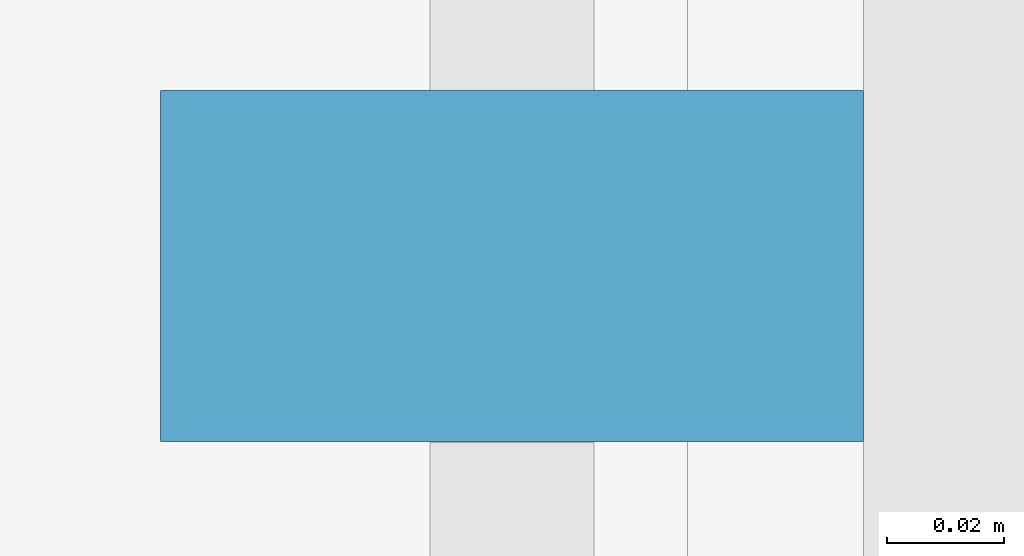
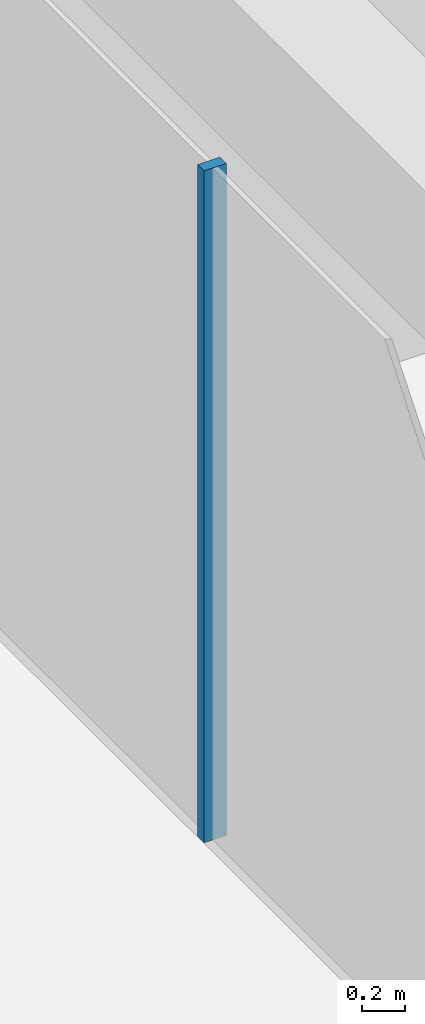
# One storey, part 9 of 23: 1 member, 1 element without a shape of its own.
"""IFC4 building model written with IfcOpenShell, lengths in metres."""

import ifcopenshell
import ifcopenshell.guid

model = None  # the IFC model being written
_history = None  # IfcOwnerHistory: only IFC2X3 demands one
_inside = {}  # id of a spatial element -> (the spatial element, [elements in it])
_under = {}  # id of a project, library or spatial element -> (it, [spatial elements below it])
_declared = {}  # id of a project -> (the project, [libraries it declares])
_typed = {}  # id of a type object -> (the type object, [elements of that type])
_made_of = {}  # id of a material, layer set ... -> (it, [elements and type objects made of it])


def new_model(schema):
    """Start an empty IFC model of exactly this schema.

    Asked for "IFC4X3", IfcOpenShell would pick the latest addendum, in which some entities
    have other attributes; the version numbers below select the first issue.
    IFC2X3 requires an IfcOwnerHistory on every rooted entity: one is made here for all.
    """
    global model, _history
    if schema == "IFC4X3":
        model = ifcopenshell.file(schema_version=(4, 3, 0, 0))
    else:
        model = ifcopenshell.file(schema=schema)
    _inside.clear()
    _under.clear()
    _declared.clear()
    _typed.clear()
    _made_of.clear()
    _history = None
    if model.schema == "IFC2X3":
        org = make("IfcOrganization", Name="unknown")
        user = make(
            "IfcPersonAndOrganization",
            ThePerson=make("IfcPerson", FamilyName="unknown"),
            TheOrganization=org,
        )
        app = make(
            "IfcApplication",
            ApplicationDeveloper=org,
            Version="unknown",
            ApplicationFullName="unknown",
            ApplicationIdentifier="unknown",
        )
        _history = make(
            "IfcOwnerHistory",
            OwningUser=user,
            OwningApplication=app,
            ChangeAction="ADDED",
            CreationDate=0,
        )
    return model


def make(cls, **values):
    """One entity of the class cls with the attributes given. An attribute that is None is left unset."""
    return model.create_entity(
        cls, **{name: value for name, value in values.items() if value is not None}
    )


def rooted(cls, **values):
    """An entity with a GlobalId (a new one), such as an element, a storey or a relation."""
    return make(cls, GlobalId=ifcopenshell.guid.new(), OwnerHistory=_history, **values)


def si_unit(unit_type, name, prefix=None):
    """IfcSIUnit, for example si_unit("LENGTHUNIT", "METRE", prefix="MILLI")."""
    return make("IfcSIUnit", UnitType=unit_type, Prefix=prefix, Name=name)


def assignment(units):
    """IfcUnitAssignment: the units of a project."""
    return None if units is None else make("IfcUnitAssignment", Units=units)


def point(xyz):
    """IfcCartesianPoint."""
    return None if xyz is None else make("IfcCartesianPoint", Coordinates=xyz)


def direction(xyz):
    """IfcDirection."""
    return None if xyz is None else make("IfcDirection", DirectionRatios=xyz)


def frame(location, z_axis=None, x_axis=None):
    """IfcAxis2Placement3D, a coordinate frame: its origin and axes. An axis left out is left unset."""
    return make(
        "IfcAxis2Placement3D",
        Location=point(location),
        Axis=direction(z_axis),
        RefDirection=direction(x_axis),
    )


def frame_2d(location, x_axis=None):
    """IfcAxis2Placement2D, a coordinate frame in the plane: its origin and x axis."""
    return make(
        "IfcAxis2Placement2D", Location=point(location), RefDirection=direction(x_axis)
    )


def origin():
    """The frame at (0, 0, 0) with its axes left unset."""
    return frame((0.0, 0.0, 0.0))


def origin_2d():
    """The frame at (0, 0) in the plane with its x axis left unset."""
    return frame_2d((0.0, 0.0))


def place(relative_to, where):
    """IfcLocalPlacement: puts the frame where relative to a parent placement (None: the world)."""
    return make(
        "IfcLocalPlacement", PlacementRelTo=relative_to, RelativePlacement=where
    )


def context(
    kind, dimensions, precision=None, world=None, true_north=None, identifier=None
):
    """IfcGeometricRepresentationContext, for example the 3D "Model" context."""
    return make(
        "IfcGeometricRepresentationContext",
        ContextIdentifier=identifier,
        ContextType=kind,
        CoordinateSpaceDimension=dimensions,
        Precision=precision,
        WorldCoordinateSystem=world,
        TrueNorth=true_north,
    )


def subcontext(parent, identifier, kind, view, scale=None):
    """IfcGeometricRepresentationSubContext, for example "Body" below "Model"."""
    return make(
        "IfcGeometricRepresentationSubContext",
        ContextIdentifier=identifier,
        ContextType=kind,
        ParentContext=parent,
        TargetScale=scale,
        TargetView=view,
    )


def project(units=None, contexts=None):
    """IfcProject with its units and contexts."""
    return rooted(
        "IfcProject",
        Name="project",
        RepresentationContexts=contexts,
        UnitsInContext=assignment(units),
    )


def spatial(cls, under=None, at=None, **own):
    """A site, building, storey or space (cls), placed at a placement, below another one or the project."""
    s = rooted(cls, ObjectPlacement=at, **own)
    if under is not None:
        _under.setdefault(under.id(), (under, []))[1].append(s)
    return s


def profile(cls, at=None, kind="AREA", **sizes):
    """A parametric profile (cls). Its sizes go by their IFC names, for example OverallWidth=200.0."""
    return make(cls, ProfileType=kind, Position=at, **sizes)


def rectangle(**sizes):
    """IfcRectangleProfileDef."""
    return profile("IfcRectangleProfileDef", **sizes)


def extrude(swept, where, along, depth):
    """IfcExtrudedAreaSolid: the profile swept, set in the frame where, extruded along a direction by depth."""
    return make(
        "IfcExtrudedAreaSolid",
        SweptArea=swept,
        Position=where,
        ExtrudedDirection=direction(along),
        Depth=depth,
    )


def shape(context_of_items, identifier, shape_type, items):
    """IfcShapeRepresentation: the items that make up one representation, for example the "Body"."""
    return make(
        "IfcShapeRepresentation",
        ContextOfItems=context_of_items,
        RepresentationIdentifier=identifier,
        RepresentationType=shape_type,
        Items=items,
    )


def material(Name=None, Category=None):
    """IfcMaterial."""
    return make("IfcMaterial", Name=Name, Category=Category)


def layer(
    of_material, thickness, ventilated=None, Name=None, Category=None, Priority=None
):
    """IfcMaterialLayer: one layer of a wall or slab, of a material (None: an air gap)."""
    return make(
        "IfcMaterialLayer",
        Material=of_material,
        LayerThickness=thickness,
        IsVentilated=ventilated,
        Name=Name,
        Category=Category,
        Priority=Priority,
    )


def layer_set(layers, Name=None):
    """IfcMaterialLayerSet."""
    return make("IfcMaterialLayerSet", MaterialLayers=layers, LayerSetName=Name)


def material_profile(
    of_material, cross_section, Name=None, Category=None, Priority=None
):
    """IfcMaterialProfile: a cross section and its material."""
    return make(
        "IfcMaterialProfile",
        Name=Name,
        Material=of_material,
        Profile=cross_section,
        Priority=Priority,
        Category=Category,
    )


def profile_set(profiles, Name=None, composite=None):
    """IfcMaterialProfileSet."""
    return make(
        "IfcMaterialProfileSet",
        Name=Name,
        MaterialProfiles=profiles,
        CompositeProfile=composite,
    )


def made_of(thing, what):
    """Note that an element or type object is made of a material, layer set ...; save() writes the relation."""
    if what is not None:
        _made_of.setdefault(what.id(), (what, []))[1].append(thing)
    return thing


def type_object(cls, material=None, **own):
    """A type object (cls), such as IfcWallType, which elements share."""
    return made_of(rooted(cls, **own), material)


def element(
    cls,
    number,
    at=None,
    inside=None,
    cuts=None,
    type_object=None,
    material=None,
    context=None,
    identifier="Body",
    shape_type=None,
    held_by="IfcProductDefinitionShape",
    body=None,
    shapes=None,
    **own,
):
    """One element of the class cls, such as IfcWall. Its Tag is "e" and its number.

    at: its placement. inside: the storey or other place that contains it. cuts: it is an
    opening in that element (IfcRelVoidsElement). A single representation is given by context,
    identifier, shape_type and body (its items); several are given by shapes. held_by: the class
    of the entity that holds the representations. save() writes the other relations.
    """
    e = rooted(cls, Tag="e%d" % number, ObjectPlacement=at, **own)
    if body is not None:
        shapes = [shape(context, identifier, shape_type, body)]
    if shapes is not None:
        e.Representation = make(held_by, Representations=shapes)
    if inside is not None:
        _inside.setdefault(inside.id(), (inside, []))[1].append(e)
    if cuts is not None:
        rooted(
            "IfcRelVoidsElement", RelatingBuildingElement=cuts, RelatedOpeningElement=e
        )
    if type_object is not None:
        _typed.setdefault(type_object.id(), (type_object, []))[1].append(e)
    return made_of(e, material)


def aggregate(whole, parts):
    """IfcRelAggregates: a whole, such as a stair, and the parts it consists of."""
    return rooted("IfcRelAggregates", RelatingObject=whole, RelatedObjects=parts)


def save(model, path):
    """Write the relations noted so far, then the file.

    IfcRelAggregates (storeys below a building ...), IfcRelContainedInSpatialStructure (elements
    in a storey), IfcRelDefinesByType, IfcRelAssociatesMaterial and IfcRelDeclares: one each for
    every whole, place, type object, material and project.
    """
    for whole, parts in _under.values():
        aggregate(whole, parts)
    for where, things in _inside.values():
        rooted(
            "IfcRelContainedInSpatialStructure",
            RelatedElements=things,
            RelatingStructure=where,
        )
    for kind, things in _typed.values():
        rooted("IfcRelDefinesByType", RelatedObjects=things, RelatingType=kind)
    for what, things in _made_of.values():
        rooted("IfcRelAssociatesMaterial", RelatedObjects=things, RelatingMaterial=what)
    for by, libraries in _declared.values():
        rooted("IfcRelDeclares", RelatingContext=by, RelatedDefinitions=libraries)
    model.write(path)


model = new_model("IFC4")

# Units and contexts
model_context = context("Model", 3, precision=1e-05, world=origin(), true_north=direction((0.0, 1.0)))
body_context = subcontext(model_context, "Body", "Model", "MODEL_VIEW")
ifc_project = project(units=[si_unit("LENGTHUNIT", "METRE"), si_unit("AREAUNIT", "SQUARE_METRE"), si_unit("VOLUMEUNIT", "CUBIC_METRE"), si_unit("PLANEANGLEUNIT", "RADIAN"), si_unit("MASSUNIT", "GRAM", prefix="KILO")], contexts=[model_context])

# Site, building, storey
site_placement = place(None, origin())
site = spatial("IfcSite", under=ifc_project, at=site_placement, CompositionType="ELEMENT")
building_placement = place(site_placement, origin())
building = spatial("IfcBuilding", under=site, at=building_placement, Name="Welwitschia Terrace Campus", CompositionType="ELEMENT")
storey_placement = place(building_placement, frame((0.0, 0.0, 247.39990234375)))
storey = spatial("IfcBuildingStorey", under=building, at=storey_placement, Name="L55", CompositionType="ELEMENT", Elevation=247.39990234375)

# Curtain wall, member
ifc_material_1 = material(Name="Bronze anodised aluminium", Category="aluminium")
ifc_layer = layer(ifc_material_1, 0.1201171875)
ifc_layer_set = layer_set([ifc_layer], Name="Bronze anodised aluminium")
curtain_wall_type = type_object("IfcCurtainWallType", Name="Curtain wall CW2 tower 6000", PredefinedType="NOTDEFINED", material=ifc_layer_set)
curtain_wall_placement = place(storey_placement, origin())
curtain_wall = element("IfcCurtainWall", 1, at=curtain_wall_placement, inside=storey, type_object=curtain_wall_type, Name="CW L55.0.0", PredefinedType="NOTDEFINED")
ifc_material_2 = material(Name="Bronze anodised aluminium", Category="aluminium")
ifc_material_profile = material_profile(ifc_material_2, rectangle(XDim=0.1201171875, YDim=0.06005859375, at=origin_2d()))
ifc_profile_set = profile_set([ifc_material_profile], Name="Bronze anodised aluminium")
member_type = type_object("IfcMemberType", Name="Mullion 60x120", PredefinedType="MULLION", material=ifc_profile_set)
member_placement = place(storey_placement, frame((-1.030029296875, 54.00390625, 0.0), z_axis=(0.0, 0.0, 1.0), x_axis=(1.0, 0.0, 0.0)))
member = element("IfcMember", 2, at=member_placement, type_object=member_type, Name="Mullion L55.0.0.3", PredefinedType="MULLION", context=body_context, shape_type="SweptSolid", body=[
    extrude(rectangle(XDim=0.1201171875, YDim=0.06005859375, at=origin_2d()), origin(), (0.0, 0.0, 1.0), 3.85009765625),
])
aggregate(curtain_wall, [member])

save(model, "model.ifc")
